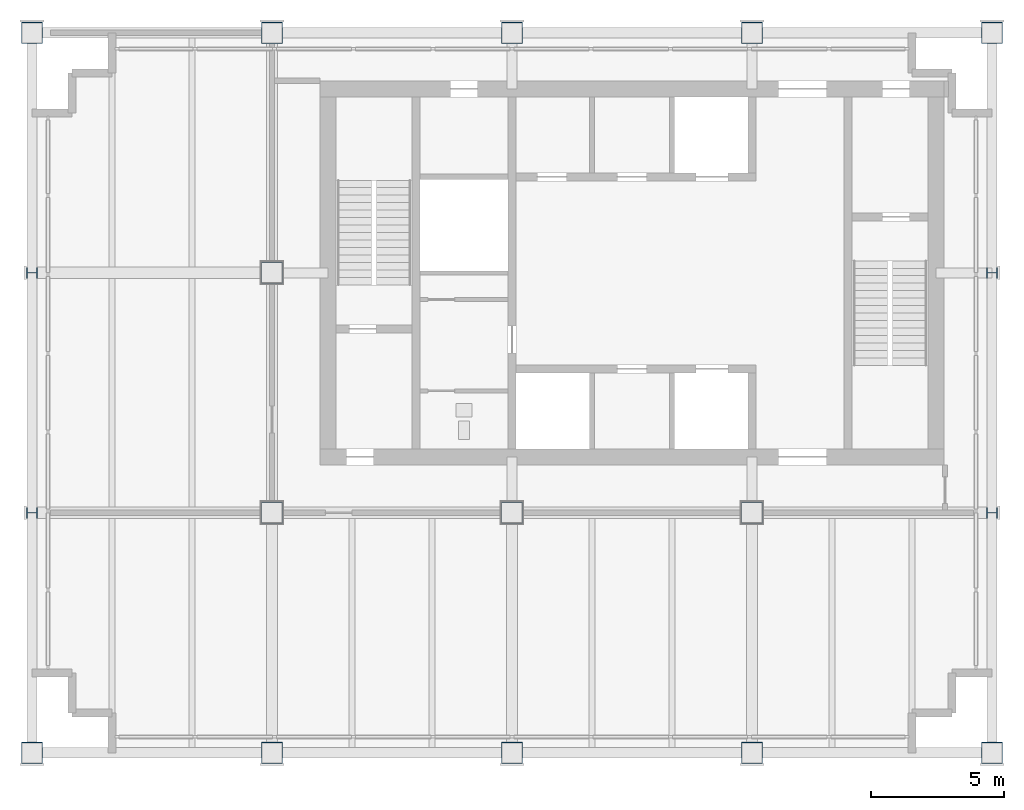
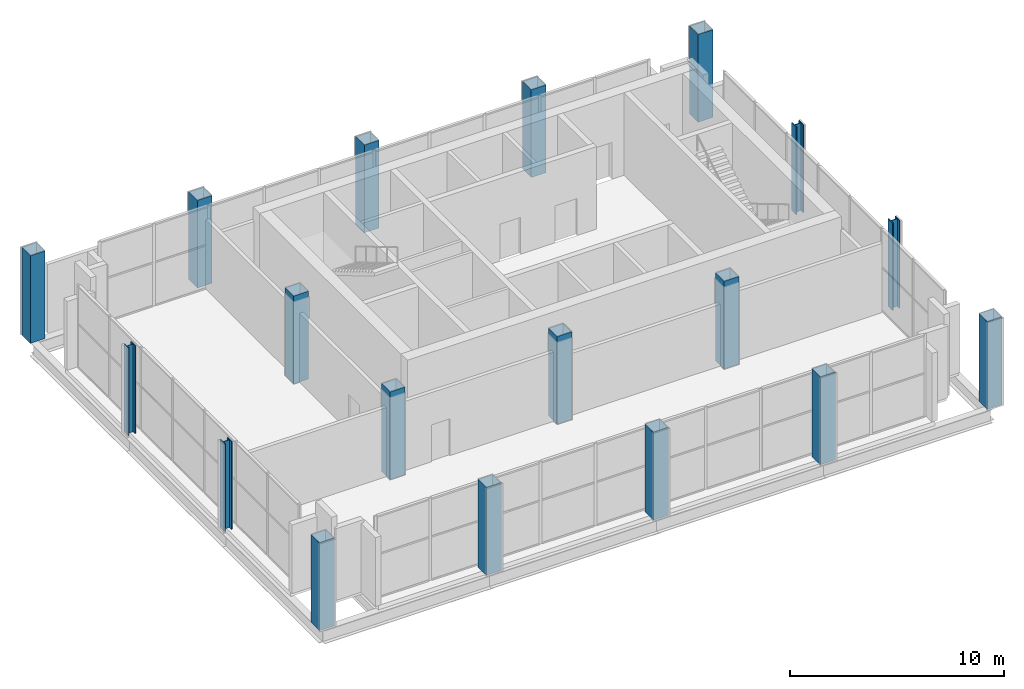
# One storey, part 1 of 10: 18 columns.
"""IFC4 building model written with IfcOpenShell, lengths in metres."""

from ifc_helpers import new_model, si_unit, direction, frame, origin, origin_2d, place, context, subcontext, project, spatial, hollow_rectangle, i_section, extrude, material, material_profile, profile_set, type_object, element, save


model = new_model("IFC4")

# Units and contexts
model_context = context("Model", 3, precision=1e-05, world=origin(), true_north=direction((0.0, 1.0)))
body_context = subcontext(model_context, "Body", "Model", "MODEL_VIEW")
ifc_project = project(units=[si_unit("LENGTHUNIT", "METRE"), si_unit("AREAUNIT", "SQUARE_METRE"), si_unit("VOLUMEUNIT", "CUBIC_METRE"), si_unit("PLANEANGLEUNIT", "RADIAN"), si_unit("MASSUNIT", "GRAM", prefix="KILO")], contexts=[model_context])

# Site, building, storey
site_placement = place(None, origin())
site = spatial("IfcSite", under=ifc_project, at=site_placement, CompositionType="ELEMENT")
building_placement = place(site_placement, origin())
building = spatial("IfcBuilding", under=site, at=building_placement, Name="Loomwork Tower", CompositionType="ELEMENT")
storey_placement = place(building_placement, frame((0.0, 0.0, 274.800048828125)))
storey = spatial("IfcBuildingStorey", under=building, at=storey_placement, Name="L75", CompositionType="ELEMENT", Elevation=274.800048828125)

# Columns
ifc_material_1 = material(Name="Steel ASTM A572 Grade 50 plate", Category="steel")
ifc_material_profile_1 = material_profile(ifc_material_1, hollow_rectangle(XDim=0.800048828125, YDim=0.800048828125, WallThickness=0.02490234375, at=origin_2d()), Name="BOX800x25")
ifc_profile_set_1 = profile_set([ifc_material_profile_1], Name="Steel ASTM A572 Grade 50 plate")
column_type_1 = type_object("IfcColumnType", Name="EXOSKELETON PIER BOX800x25", PredefinedType="COLUMN", material=ifc_profile_set_1)
for number, where, z_axis, x_axis, name in (
    (1, (0.0, 0.0, 0.0), (0.0, 0.0, 1.0), (1.0, 0.0, 0.0), "Exoskeleton Pier D/2 L75"),
    (2, (0.0, 27.0, 0.0), (0.0, 0.0, 1.0), (0.0, 1.0, 0.0), "Exoskeleton Pier G/2 L75"),
    (3, (9.0, 0.0, 0.0), (0.0, 0.0, 1.0), (1.0, 0.0, 0.0), "Exoskeleton Pier D/3 L75"),
    (4, (9.0, 27.0, 0.0), (0.0, 0.0, 1.0), (1.0, 0.0, 0.0), "Exoskeleton Pier G/3 L75"),
    (5, (18.0, 0.0, 0.0), (0.0, 0.0, 1.0), (1.0, 0.0, 0.0), "Exoskeleton Pier D/4 L75"),
    (6, (18.0, 27.0, 0.0), (0.0, 0.0, 1.0), (1.0, 0.0, 0.0), "Exoskeleton Pier G/4 L75"),
    (7, (27.0, 0.0, 0.0), (0.0, 0.0, 1.0), (1.0, 0.0, 0.0), "Exoskeleton Pier D/5 L75"),
    (8, (27.0, 27.0, 0.0), (0.0, 0.0, 1.0), (1.0, 0.0, 0.0), "Exoskeleton Pier G/5 L75"),
    (9, (36.0, 0.0, 0.0), (0.0, 0.0, 1.0), (1.0, 0.0, 0.0), "Exoskeleton Pier D/6 L75"),
    (10, (36.0, 27.0, 0.0), (0.0, 0.0, 1.0), (1.0, 0.0, 0.0), "Exoskeleton Pier G/6 L75"),
):
    element("IfcColumn", number, at=place(storey_placement, frame(where, z_axis=z_axis, x_axis=x_axis)), inside=storey, type_object=column_type_1, Name=name, PredefinedType="COLUMN", context=body_context, shape_type="SweptSolid", body=[
        extrude(hollow_rectangle(XDim=0.800048828125, YDim=0.800048828125, WallThickness=0.02490234375, at=origin_2d()), origin(), (0.0, 0.0, 1.0), 5.0),
    ])
ifc_material_2 = material(Name="Steel ASTM A992", Category="steel")
ifc_material_profile_2 = material_profile(ifc_material_2, i_section(OverallWidth=0.408935546875, OverallDepth=0.424072265625, WebThickness=0.03271484375, FlangeThickness=0.052490234375, at=origin_2d()), Name="W14x283")
ifc_profile_set_2 = profile_set([ifc_material_profile_2], Name="Steel ASTM A992")
column_type_2 = type_object("IfcColumnType", Name="EXOSKELETON PIER W14x283", PredefinedType="COLUMN", material=ifc_profile_set_2)
for number, where, z_axis, x_axis, name in (
    (11, (0.0, 9.0, 0.0), (0.0, 0.0, 1.0), (0.0, 1.0, 0.0), "Exoskeleton Pier E/2 L75"),
    (12, (0.0, 18.0, 0.0), (0.0, 0.0, 1.0), (0.0, 1.0, 0.0), "Exoskeleton Pier F/2 L75"),
    (13, (36.0, 9.0, 0.0), (0.0, 0.0, 1.0), (0.0, 1.0, 0.0), "Exoskeleton Pier E/6 L75"),
    (14, (36.0, 18.0, 0.0), (0.0, 0.0, 1.0), (0.0, 1.0, 0.0), "Exoskeleton Pier F/6 L75"),
):
    element("IfcColumn", number, at=place(storey_placement, frame(where, z_axis=z_axis, x_axis=x_axis)), inside=storey, type_object=column_type_2, Name=name, PredefinedType="COLUMN", context=body_context, shape_type="SweptSolid", body=[
        extrude(i_section(OverallWidth=0.408935546875, OverallDepth=0.424072265625, WebThickness=0.03271484375, FlangeThickness=0.052490234375, at=origin_2d()), origin(), (0.0, 0.0, 1.0), 5.0),
    ])
ifc_material_3 = material(Name="Steel ASTM A572 Grade 50 plate", Category="steel")
ifc_material_profile_3 = material_profile(ifc_material_3, hollow_rectangle(XDim=0.800048828125, YDim=0.800048828125, WallThickness=0.02490234375, at=origin_2d()), Name="BOX800x25")
ifc_profile_set_3 = profile_set([ifc_material_profile_3], Name="Steel ASTM A572 Grade 50 plate")
column_type_3 = type_object("IfcColumnType", Name="TOWER COLUMN BOX800x25", PredefinedType="COLUMN", material=ifc_profile_set_3)
for number, where, z_axis, x_axis, name in (
    (15, (9.0, 9.0, 0.0), (0.0, 0.0, 1.0), (1.0, 0.0, 0.0), "Tower Column E/3 L75"),
    (16, (9.0, 18.0, 0.0), (0.0, 0.0, 1.0), (1.0, 0.0, 0.0), "Tower Column F/3 L75"),
    (17, (18.0, 9.0, 0.0), (0.0, 0.0, 1.0), (1.0, 0.0, 0.0), "Tower Column E/4 L75"),
    (18, (27.0, 9.0, 0.0), (0.0, 0.0, 1.0), (1.0, 0.0, 0.0), "Tower Column E/5 L75"),
):
    element("IfcColumn", number, at=place(storey_placement, frame(where, z_axis=z_axis, x_axis=x_axis)), inside=storey, type_object=column_type_3, Name=name, PredefinedType="COLUMN", context=body_context, shape_type="SweptSolid", body=[
        extrude(hollow_rectangle(XDim=0.800048828125, YDim=0.800048828125, WallThickness=0.02490234375, at=origin_2d()), origin(), (0.0, 0.0, 1.0), 5.0),
    ])

save(model, "model.ifc")
